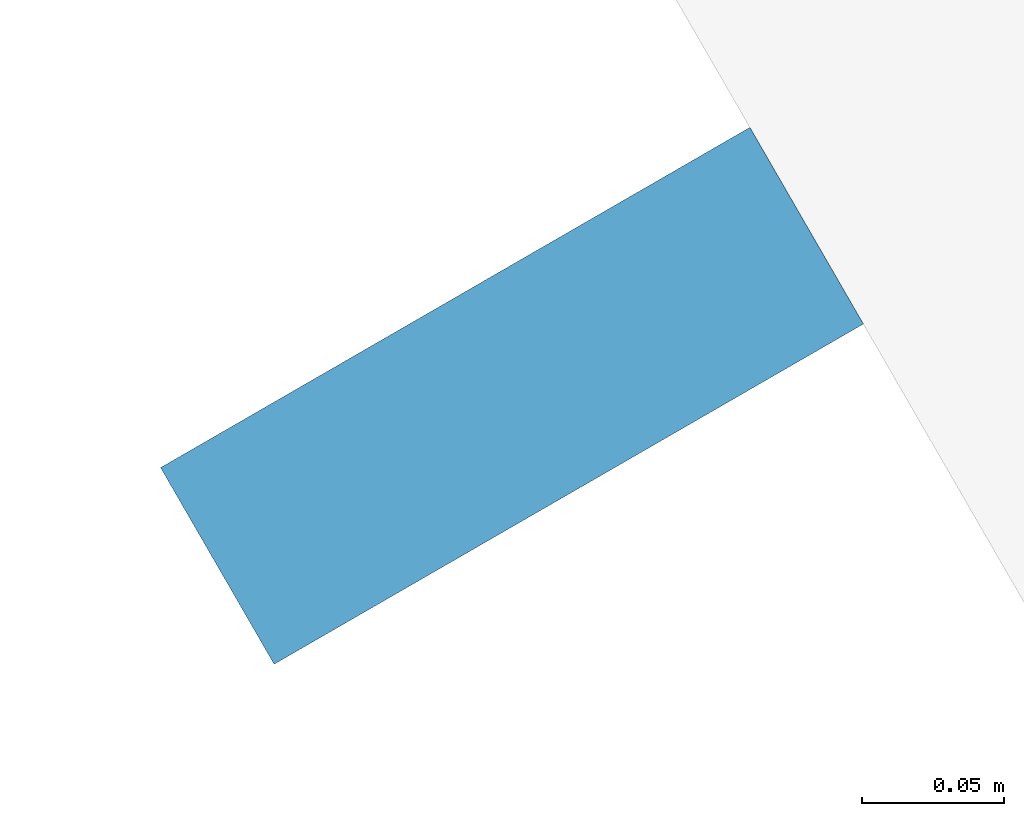
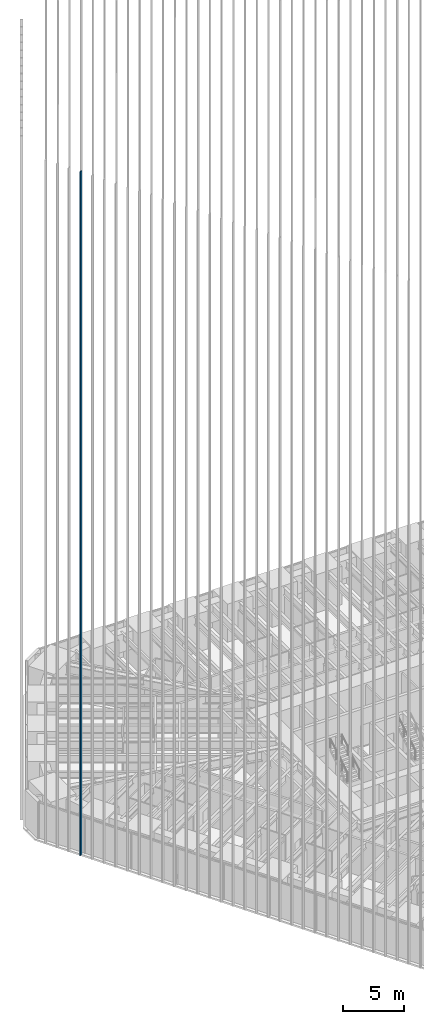
# One storey, part 64 of 256: 1 member, 1 element without a shape of its own.
"""IFC4 building model written with IfcOpenShell, lengths in metres."""

from ifc_helpers import new_model, si_unit, direction, frame, origin, origin_2d, place, context, subcontext, project, spatial, rectangle, extrude, material, material_profile, profile_set, type_object, element, aggregate, save


model = new_model("IFC4")

# Units and contexts
model_context = context("Model", 3, precision=1e-05, world=origin(), true_north=direction((0.0, 1.0)))
body_context = subcontext(model_context, "Body", "Model", "MODEL_VIEW")
ifc_project = project(units=[si_unit("LENGTHUNIT", "METRE"), si_unit("AREAUNIT", "SQUARE_METRE"), si_unit("VOLUMEUNIT", "CUBIC_METRE"), si_unit("PLANEANGLEUNIT", "RADIAN"), si_unit("MASSUNIT", "GRAM", prefix="KILO")], contexts=[model_context])

# Site, building, storey
site_placement = place(None, origin())
site = spatial("IfcSite", under=ifc_project, at=site_placement, CompositionType="ELEMENT")
building_placement = place(site_placement, origin())
building = spatial("IfcBuilding", under=site, at=building_placement, Name="Sandreach Pilgrim Tower", CompositionType="ELEMENT")
storey_placement = place(building_placement, frame((0.0, 0.0, 23.0)))
storey = spatial("IfcBuildingStorey", under=building, at=storey_placement, Name="L04", CompositionType="ELEMENT", Elevation=23.0)

# Curtain wall, member
ifc_material_1 = material(Name="Aluminium framed curtain wall", Category="aluminium")
curtain_wall_type = type_object("IfcCurtainWallType", Name="Hostel tower curtain wall", PredefinedType="NOTDEFINED", material=ifc_material_1)
curtain_wall_placement = place(storey_placement, origin())
curtain_wall = element("IfcCurtainWall", 1, at=curtain_wall_placement, inside=storey, type_object=curtain_wall_type, Name="CW-1 L04 SW", PredefinedType="NOTDEFINED")
ifc_material_2 = material(Name="Extruded terracotta on aluminium core", Category="masonry")
ifc_material_profile = material_profile(ifc_material_2, rectangle(XDim=0.080078125, YDim=0.239990234375, at=origin_2d()), Name="TBW 80X240")
ifc_profile_set = profile_set([ifc_material_profile], Name="Extruded terracotta on aluminium core")
member_type = type_object("IfcMemberType", Name="Terracotta baguette west", PredefinedType="USERDEFINED", material=ifc_profile_set)
member_placement = place(storey_placement, frame((-28.848388671875, 1.229736328125, 0.0), z_axis=(0.0, 0.0, 1.0), x_axis=(-0.5, 0.866025403784, 0.0)))
member = element("IfcMember", 2, at=member_placement, type_object=member_type, Name="Baguette Z1 SW32", ObjectType="BAGUETTE", PredefinedType="USERDEFINED", context=body_context, shape_type="SweptSolid", body=[
    extrude(rectangle(XDim=0.080078125, YDim=0.239990234375, at=origin_2d()), origin(), (0.0, 0.0, 1.0), 68.239990234375),
])
aggregate(curtain_wall, [member])

save(model, "model.ifc")
